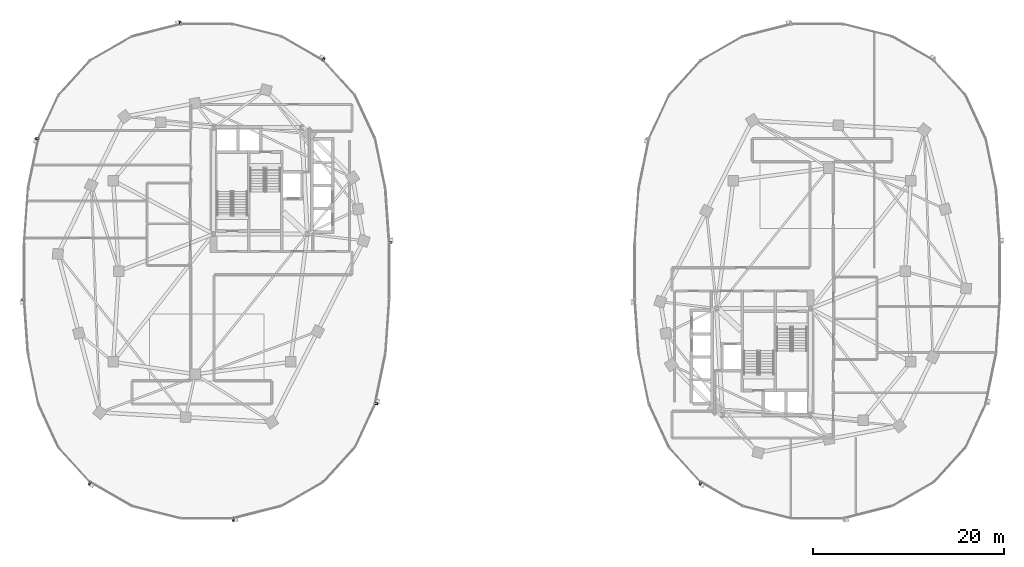
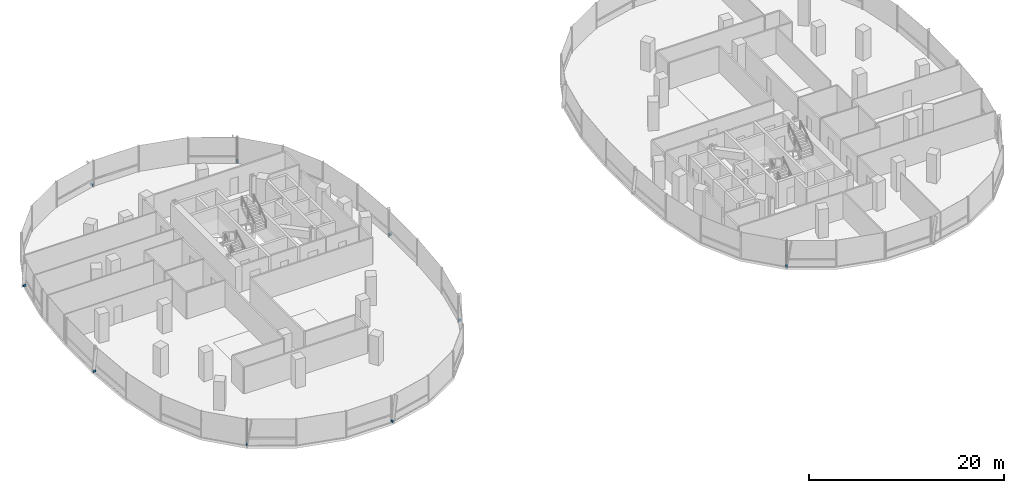
# One storey, part 15 of 21: 9 discrete accessories.
"""IFC4 building model written with IfcOpenShell, lengths in metres."""

from ifc_helpers import new_model, si_unit, direction, frame, origin, origin_2d, place, context, subcontext, project, spatial, rectangle, extrude, material, type_object, element, save


model = new_model("IFC4")

# Units and contexts
model_context = context("Model", 3, precision=1e-05, world=origin(), true_north=direction((0.0, 1.0)))
body_context = subcontext(model_context, "Body", "Model", "MODEL_VIEW")
ifc_project = project(units=[si_unit("LENGTHUNIT", "METRE"), si_unit("AREAUNIT", "SQUARE_METRE"), si_unit("VOLUMEUNIT", "CUBIC_METRE"), si_unit("PLANEANGLEUNIT", "RADIAN"), si_unit("MASSUNIT", "GRAM", prefix="KILO"), si_unit("THERMODYNAMICTEMPERATUREUNIT", "KELVIN"), si_unit("POWERUNIT", "WATT")], contexts=[model_context])

# Site, building, storey
site_placement = place(None, origin())
site = spatial("IfcSite", under=ifc_project, at=site_placement, CompositionType="ELEMENT")
building_placement = place(site_placement, origin())
building = spatial("IfcBuilding", under=site, at=building_placement, Name="Cundina Bronze Exchange", CompositionType="ELEMENT")
storey_placement = place(building_placement, frame((0.0, 0.0, 81.800048828125)))
storey = spatial("IfcBuildingStorey", under=building, at=storey_placement, Name="L20", CompositionType="ELEMENT", Elevation=81.800048828125)

# Discrete accessories
ifc_material = material(Name="Anodised Bronze Aluminium 6063-T6", Category="aluminium")
discrete_accessory_type = type_object("IfcDiscreteAccessoryType", Name="ACC-BRK-FIN", PredefinedType="BRACKET", material=ifc_material)
for number, where, z_axis, x_axis, name in (
    (1, (-12.735595703125, 2.986083984375, 0.10009765625), (0.0, 0.0, 1.0), (-0.070278787473, 0.997527389113, 0.0), "L20 Fin Support Bracket 1"),
    (2, (-19.740478515625, 22.21875, 0.10009765625), (0.0, 0.0, 1.0), (-0.867105478933, 0.498124571171, 0.0), "L20 Fin Support Bracket 5"),
    (3, (-34.76025390625, 26.03173828125, 0.10009765625), (0.0, 0.0, 1.0), (-0.969488149345, -0.245138182011, 0.0), "L20 Fin Support Bracket 1"),
    (4, (-49.788330078125, 13.8896484375, 0.10009765625), (0.0, 0.0, 1.0), (-0.201419845156, -0.979505000486, 0.0), "L20 Fin Support Bracket 5"),
    (5, (-51.264404296875, -2.986083984375, 0.10009765625), (0.0, 0.0, 1.0), (0.070278787473, -0.997527389113, 0.0), "L20 Fin Support Bracket 1"),
    (6, (-44.259521484375, -22.21875, 0.10009765625), (0.0, 0.0, 1.0), (0.867105478933, -0.498124571171, 0.0), "L20 Fin Support Bracket 5"),
    (7, (-29.23974609375, -26.03173828125, 0.10009765625), (0.0, 0.0, 1.0), (0.969488149345, 0.245138182011, 0.0), "L20 Fin Support Bracket 1"),
    (8, (-14.211669921875, -13.8896484375, 0.10009765625), (0.0, 0.0, 1.0), (0.201419845156, 0.979505000486, 0.0), "L20 Fin Support Bracket 5"),
    (9, (19.740478515625, -22.21875, 0.10009765625), (0.0, 0.0, 1.0), (0.867105478933, -0.498124571171, 0.0), "L20 Fin Support Bracket 5"),
):
    element("IfcDiscreteAccessory", number, at=place(storey_placement, frame(where, z_axis=z_axis, x_axis=x_axis)), inside=storey, type_object=discrete_accessory_type, Name=name, PredefinedType="BRACKET", context=body_context, shape_type="SweptSolid", body=[
        extrude(rectangle(XDim=0.219970703125, YDim=0.320068359375, at=origin_2d()), origin(), (0.0, 0.0, 1.0), 0.239990234375),
    ])

save(model, "model.ifc")
